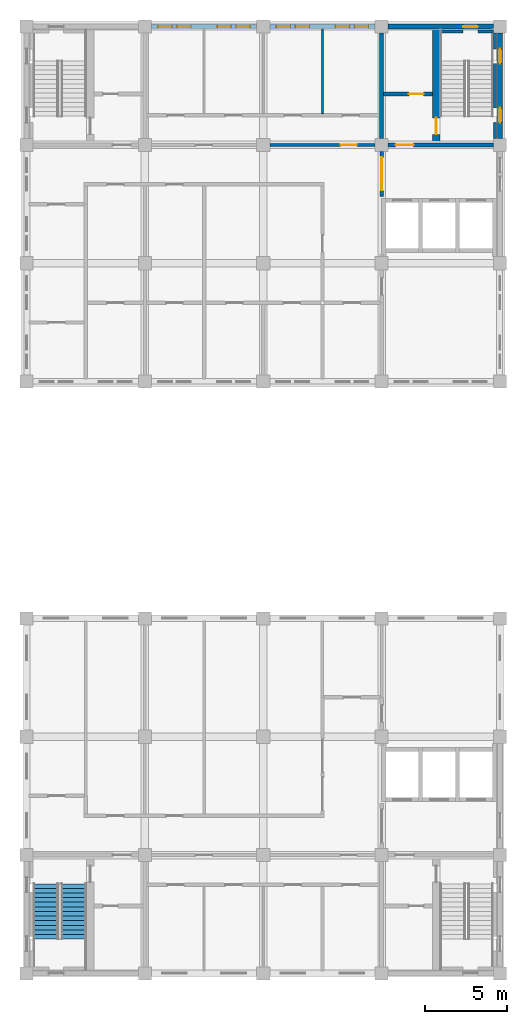
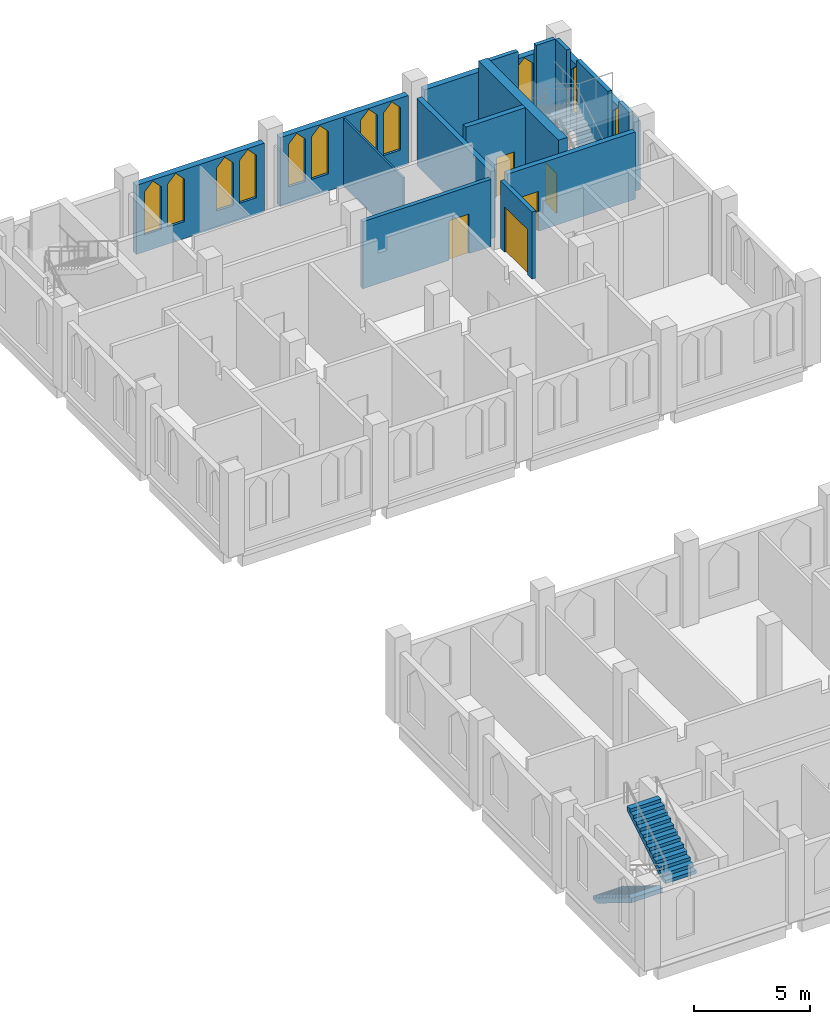
# One storey, part 8 of 11: 16 walls, 11 windows, 5 doors, 2 stair flights, 16 openings, 1 element without a shape of its own.
"""IFC4 building model written with IfcOpenShell, lengths in metres."""

from ifc_helpers import new_model, si_unit, direction, frame, frame_2d, origin, place, context, subcontext, project, spatial, polyline, rectangle, outline, extrude, material, layer, layer_set, type_object, element, fill, aggregate, save


model = new_model("IFC4")

# Units and contexts
model_context = context("Model", 3, precision=1e-05, world=origin(), true_north=direction((0.0, 1.0)))
body_context = subcontext(model_context, "Body", "Model", "MODEL_VIEW")
ifc_project = project(units=[si_unit("LENGTHUNIT", "METRE"), si_unit("AREAUNIT", "SQUARE_METRE"), si_unit("VOLUMEUNIT", "CUBIC_METRE"), si_unit("PLANEANGLEUNIT", "RADIAN"), si_unit("MASSUNIT", "GRAM", prefix="KILO")], contexts=[model_context])

# Site, building, storey
site_placement = place(None, origin())
site = spatial("IfcSite", under=ifc_project, at=site_placement, CompositionType="ELEMENT")
building_placement = place(site_placement, origin())
building = spatial("IfcBuilding", under=site, at=building_placement, Name="Silangan Lancet Faculty of Sciences", CompositionType="ELEMENT")
storey_placement = place(building_placement, frame((0.0, 0.0, 45.300048828125)))
storey = spatial("IfcBuildingStorey", under=building, at=storey_placement, Name="L09", CompositionType="ELEMENT", Elevation=45.300048828125)

# Wall, openings, windows
ifc_material_1 = material(Name="Concrete C40/50 precast", Category="concrete")
ifc_layer_1 = layer(ifc_material_1, 0.300048828125)
ifc_layer_set_1 = layer_set([ifc_layer_1], Name="Concrete C40/50 precast")
wall_type_1 = type_object("IfcWallType", Name="EW1 Precast cladding wall", PredefinedType="STANDARD", material=ifc_layer_set_1)
wall_1_placement = place(storey_placement, frame((21.199951171875, 57.60009765625, 0.0), z_axis=(0.0, 0.0, 1.0), x_axis=(-1.0, 0.0, 0.0)))
wall_1 = element("IfcWall", 1, at=wall_1_placement, inside=storey, type_object=wall_type_1, Name="EW-L09-N-NT-01", PredefinedType="STANDARD", context=body_context, shape_type="SweptSolid", body=[
    extrude(rectangle(XDim=6.39990234375, YDim=0.300048828125, at=frame_2d((3.199951171875, 0.0))), origin(), (0.0, 0.0, 1.0), 3.64990234375),
])
opening_1_placement = place(wall_1_placement, frame((0.39990234375, 0.0, 0.89990234375)))
opening_1 = element("IfcOpeningElement", 2, at=opening_1_placement, cuts=wall_1, Name="Opening W21", PredefinedType="OPENING", context=body_context, shape_type="SweptSolid", body=[
    extrude(outline(polyline([(0.0, 0.0), (0.85009765625, 0.0), (0.85009765625, 2.25), (0.425048828125, 2.699951171875), (0.0, 2.25), (0.0, 0.0)])), frame((0.0, 0.159912109375, 0.0), z_axis=(0.0, -1.0, 0.0), x_axis=(1.0, 0.0, 0.0)), (0.0, 0.0, 1.0), 0.320068359375),
])
opening_2_placement = place(wall_1_placement, frame((1.550048828125, 0.0, 0.89990234375)))
opening_2 = element("IfcOpeningElement", 3, at=opening_2_placement, cuts=wall_1, Name="Opening W21", PredefinedType="OPENING", context=body_context, shape_type="SweptSolid", body=[
    extrude(outline(polyline([(0.0, 0.0), (0.85009765625, 0.0), (0.85009765625, 2.25), (0.425048828125, 2.699951171875), (0.0, 2.25), (0.0, 0.0)])), frame((0.0, 0.159912109375, 0.0), z_axis=(0.0, -1.0, 0.0), x_axis=(1.0, 0.0, 0.0)), (0.0, 0.0, 1.0), 0.320068359375),
])
opening_3_placement = place(wall_1_placement, frame((4.0, 0.0, 0.89990234375)))
opening_3 = element("IfcOpeningElement", 4, at=opening_3_placement, cuts=wall_1, Name="Opening W21", PredefinedType="OPENING", context=body_context, shape_type="SweptSolid", body=[
    extrude(outline(polyline([(0.0, 0.0), (0.85009765625, 0.0), (0.85009765625, 2.25), (0.425048828125, 2.699951171875), (0.0, 2.25), (0.0, 0.0)])), frame((0.0, 0.159912109375, 0.0), z_axis=(0.0, -1.0, 0.0), x_axis=(1.0, 0.0, 0.0)), (0.0, 0.0, 1.0), 0.320068359375),
])
opening_4_placement = place(wall_1_placement, frame((5.14990234375, 0.0, 0.89990234375)))
opening_4 = element("IfcOpeningElement", 5, at=opening_4_placement, cuts=wall_1, Name="Opening W21", PredefinedType="OPENING", context=body_context, shape_type="SweptSolid", body=[
    extrude(outline(polyline([(0.0, 0.0), (0.85009765625, 0.0), (0.85009765625, 2.25), (0.425048828125, 2.699951171875), (0.0, 2.25), (0.0, 0.0)])), frame((0.0, 0.159912109375, 0.0), z_axis=(0.0, -1.0, 0.0), x_axis=(1.0, 0.0, 0.0)), (0.0, 0.0, 1.0), 0.320068359375),
])
ifc_material_2 = material(Name="Aluminium frame, laminated double glazing", Category="aluminium")
window_type_1 = type_object("IfcWindowType", Name="W21 Lancet window 850 x 2700", PartitioningType="SINGLE_PANEL", PredefinedType="WINDOW", material=ifc_material_2)
window_1_placement = place(opening_1_placement, origin())
window_1 = element("IfcWindow", 6, at=window_1_placement, inside=storey, type_object=window_type_1, Name="WIN-L09-N-NT-01a1", OverallHeight=2.699951171875, OverallWidth=0.85009765625, PartitioningType="SINGLE_PANEL", PredefinedType="WINDOW", context=body_context, shape_type="SweptSolid", body=[
    extrude(outline(polyline([(0.0, 0.0), (0.85009765625, 0.0), (0.85009765625, 2.25), (0.425048828125, 2.699951171875), (0.0, 2.25), (0.0, 0.0)])), frame((0.0, 0.030029296875, 0.0), z_axis=(0.0, -1.0, 0.0), x_axis=(1.0, 0.0, 0.0)), (0.0, 0.0, 1.0), 0.06005859375),
])
fill(opening_1, window_1)
window_2_placement = place(opening_2_placement, origin())
window_2 = element("IfcWindow", 7, at=window_2_placement, inside=storey, type_object=window_type_1, Name="WIN-L09-N-NT-01a2", OverallHeight=2.699951171875, OverallWidth=0.85009765625, PartitioningType="SINGLE_PANEL", PredefinedType="WINDOW", context=body_context, shape_type="SweptSolid", body=[
    extrude(outline(polyline([(0.0, 0.0), (0.85009765625, 0.0), (0.85009765625, 2.25), (0.425048828125, 2.699951171875), (0.0, 2.25), (0.0, 0.0)])), frame((0.0, 0.030029296875, 0.0), z_axis=(0.0, -1.0, 0.0), x_axis=(1.0, 0.0, 0.0)), (0.0, 0.0, 1.0), 0.06005859375),
])
fill(opening_2, window_2)
window_3_placement = place(opening_3_placement, origin())
window_3 = element("IfcWindow", 8, at=window_3_placement, inside=storey, type_object=window_type_1, Name="WIN-L09-N-NT-01b1", OverallHeight=2.699951171875, OverallWidth=0.85009765625, PartitioningType="SINGLE_PANEL", PredefinedType="WINDOW", context=body_context, shape_type="SweptSolid", body=[
    extrude(outline(polyline([(0.0, 0.0), (0.85009765625, 0.0), (0.85009765625, 2.25), (0.425048828125, 2.699951171875), (0.0, 2.25), (0.0, 0.0)])), frame((0.0, 0.030029296875, 0.0), z_axis=(0.0, -1.0, 0.0), x_axis=(1.0, 0.0, 0.0)), (0.0, 0.0, 1.0), 0.06005859375),
])
fill(opening_3, window_3)
window_4_placement = place(opening_4_placement, origin())
window_4 = element("IfcWindow", 9, at=window_4_placement, inside=storey, type_object=window_type_1, Name="WIN-L09-N-NT-01b2", OverallHeight=2.699951171875, OverallWidth=0.85009765625, PartitioningType="SINGLE_PANEL", PredefinedType="WINDOW", context=body_context, shape_type="SweptSolid", body=[
    extrude(outline(polyline([(0.0, 0.0), (0.85009765625, 0.0), (0.85009765625, 2.25), (0.425048828125, 2.699951171875), (0.0, 2.25), (0.0, 0.0)])), frame((0.0, 0.030029296875, 0.0), z_axis=(0.0, -1.0, 0.0), x_axis=(1.0, 0.0, 0.0)), (0.0, 0.0, 1.0), 0.06005859375),
])
fill(opening_4, window_4)

wall_2_placement = place(storey_placement, frame((14.0, 57.60009765625, 0.0), z_axis=(0.0, 0.0, 1.0), x_axis=(-1.0, 0.0, 0.0)))
wall_2 = element("IfcWall", 10, at=wall_2_placement, inside=storey, type_object=wall_type_1, Name="EW-L09-N-NT-02", PredefinedType="STANDARD", context=body_context, shape_type="SweptSolid", body=[
    extrude(rectangle(XDim=6.39990234375, YDim=0.300048828125, at=frame_2d((3.199951171875, 0.0))), origin(), (0.0, 0.0, 1.0), 3.64990234375),
])
opening_5_placement = place(wall_2_placement, frame((0.39990234375, 0.0, 0.89990234375)))
opening_5 = element("IfcOpeningElement", 11, at=opening_5_placement, cuts=wall_2, Name="Opening W21", PredefinedType="OPENING", context=body_context, shape_type="SweptSolid", body=[
    extrude(outline(polyline([(0.0, 0.0), (0.85009765625, 0.0), (0.85009765625, 2.25), (0.425048828125, 2.699951171875), (0.0, 2.25), (0.0, 0.0)])), frame((0.0, 0.159912109375, 0.0), z_axis=(0.0, -1.0, 0.0), x_axis=(1.0, 0.0, 0.0)), (0.0, 0.0, 1.0), 0.320068359375),
])
opening_6_placement = place(wall_2_placement, frame((1.550048828125, 0.0, 0.89990234375)))
opening_6 = element("IfcOpeningElement", 12, at=opening_6_placement, cuts=wall_2, Name="Opening W21", PredefinedType="OPENING", context=body_context, shape_type="SweptSolid", body=[
    extrude(outline(polyline([(0.0, 0.0), (0.85009765625, 0.0), (0.85009765625, 2.25), (0.425048828125, 2.699951171875), (0.0, 2.25), (0.0, 0.0)])), frame((0.0, 0.159912109375, 0.0), z_axis=(0.0, -1.0, 0.0), x_axis=(1.0, 0.0, 0.0)), (0.0, 0.0, 1.0), 0.320068359375),
])
opening_7_placement = place(wall_2_placement, frame((4.0, 0.0, 0.89990234375)))
opening_7 = element("IfcOpeningElement", 13, at=opening_7_placement, cuts=wall_2, Name="Opening W21", PredefinedType="OPENING", context=body_context, shape_type="SweptSolid", body=[
    extrude(outline(polyline([(0.0, 0.0), (0.85009765625, 0.0), (0.85009765625, 2.25), (0.425048828125, 2.699951171875), (0.0, 2.25), (0.0, 0.0)])), frame((0.0, 0.159912109375, 0.0), z_axis=(0.0, -1.0, 0.0), x_axis=(1.0, 0.0, 0.0)), (0.0, 0.0, 1.0), 0.320068359375),
])
opening_8_placement = place(wall_2_placement, frame((5.14990234375, 0.0, 0.89990234375)))
opening_8 = element("IfcOpeningElement", 14, at=opening_8_placement, cuts=wall_2, Name="Opening W21", PredefinedType="OPENING", context=body_context, shape_type="SweptSolid", body=[
    extrude(outline(polyline([(0.0, 0.0), (0.85009765625, 0.0), (0.85009765625, 2.25), (0.425048828125, 2.699951171875), (0.0, 2.25), (0.0, 0.0)])), frame((0.0, 0.159912109375, 0.0), z_axis=(0.0, -1.0, 0.0), x_axis=(1.0, 0.0, 0.0)), (0.0, 0.0, 1.0), 0.320068359375),
])
window_5_placement = place(opening_5_placement, origin())
window_5 = element("IfcWindow", 15, at=window_5_placement, inside=storey, type_object=window_type_1, Name="WIN-L09-N-NT-02a1", OverallHeight=2.699951171875, OverallWidth=0.85009765625, PartitioningType="SINGLE_PANEL", PredefinedType="WINDOW", context=body_context, shape_type="SweptSolid", body=[
    extrude(outline(polyline([(0.0, 0.0), (0.85009765625, 0.0), (0.85009765625, 2.25), (0.425048828125, 2.699951171875), (0.0, 2.25), (0.0, 0.0)])), frame((0.0, 0.030029296875, 0.0), z_axis=(0.0, -1.0, 0.0), x_axis=(1.0, 0.0, 0.0)), (0.0, 0.0, 1.0), 0.06005859375),
])
fill(opening_5, window_5)
window_6_placement = place(opening_6_placement, origin())
window_6 = element("IfcWindow", 16, at=window_6_placement, inside=storey, type_object=window_type_1, Name="WIN-L09-N-NT-02a2", OverallHeight=2.699951171875, OverallWidth=0.85009765625, PartitioningType="SINGLE_PANEL", PredefinedType="WINDOW", context=body_context, shape_type="SweptSolid", body=[
    extrude(outline(polyline([(0.0, 0.0), (0.85009765625, 0.0), (0.85009765625, 2.25), (0.425048828125, 2.699951171875), (0.0, 2.25), (0.0, 0.0)])), frame((0.0, 0.030029296875, 0.0), z_axis=(0.0, -1.0, 0.0), x_axis=(1.0, 0.0, 0.0)), (0.0, 0.0, 1.0), 0.06005859375),
])
fill(opening_6, window_6)
window_7_placement = place(opening_7_placement, origin())
window_7 = element("IfcWindow", 17, at=window_7_placement, inside=storey, type_object=window_type_1, Name="WIN-L09-N-NT-02b1", OverallHeight=2.699951171875, OverallWidth=0.85009765625, PartitioningType="SINGLE_PANEL", PredefinedType="WINDOW", context=body_context, shape_type="SweptSolid", body=[
    extrude(outline(polyline([(0.0, 0.0), (0.85009765625, 0.0), (0.85009765625, 2.25), (0.425048828125, 2.699951171875), (0.0, 2.25), (0.0, 0.0)])), frame((0.0, 0.030029296875, 0.0), z_axis=(0.0, -1.0, 0.0), x_axis=(1.0, 0.0, 0.0)), (0.0, 0.0, 1.0), 0.06005859375),
])
fill(opening_7, window_7)
window_8_placement = place(opening_8_placement, origin())
window_8 = element("IfcWindow", 18, at=window_8_placement, inside=storey, type_object=window_type_1, Name="WIN-L09-N-NT-02b2", OverallHeight=2.699951171875, OverallWidth=0.85009765625, PartitioningType="SINGLE_PANEL", PredefinedType="WINDOW", context=body_context, shape_type="SweptSolid", body=[
    extrude(outline(polyline([(0.0, 0.0), (0.85009765625, 0.0), (0.85009765625, 2.25), (0.425048828125, 2.699951171875), (0.0, 2.25), (0.0, 0.0)])), frame((0.0, 0.030029296875, 0.0), z_axis=(0.0, -1.0, 0.0), x_axis=(1.0, 0.0, 0.0)), (0.0, 0.0, 1.0), 0.06005859375),
])
fill(opening_8, window_8)

# Wall, opening, window
ifc_material_3 = material(Name="Concrete C40/50 precast", Category="concrete")
ifc_layer_2 = layer(ifc_material_3, 0.300048828125)
ifc_layer_set_2 = layer_set([ifc_layer_2], Name="Concrete C40/50 precast")
wall_type_2 = type_object("IfcWallType", Name="EW2 Turret enclosure wall", PredefinedType="STANDARD", material=ifc_layer_set_2)
wall_3_placement = place(storey_placement, frame((28.39990234375, 57.60009765625, 0.0), z_axis=(0.0, 0.0, 1.0), x_axis=(-1.0, 0.0, 0.0)))
wall_3 = element("IfcWall", 19, at=wall_3_placement, inside=storey, type_object=wall_type_2, Name="EW-L09-N-NT-00", PredefinedType="STANDARD", context=body_context, shape_type="SweptSolid", body=[
    extrude(rectangle(XDim=6.39990234375, YDim=0.300048828125, at=frame_2d((3.199951171875, 0.0))), origin(), (0.0, 0.0, 1.0), 3.64990234375),
])
opening_9_placement = place(wall_3_placement, frame((0.949951171875, 0.0, 0.89990234375)))
opening_9 = element("IfcOpeningElement", 20, at=opening_9_placement, cuts=wall_3, Name="Opening W22", PredefinedType="OPENING", context=body_context, shape_type="SweptSolid", body=[
    extrude(outline(polyline([(0.0, 0.0), (0.89990234375, 0.0), (0.89990234375, 2.25), (0.449951171875, 2.699951171875), (0.0, 2.25), (0.0, 0.0)])), frame((0.0, 0.159912109375, 0.0), z_axis=(0.0, -1.0, 0.0), x_axis=(1.0, 0.0, 0.0)), (0.0, 0.0, 1.0), 0.320068359375),
])
ifc_material_4 = material(Name="Aluminium frame, laminated double glazing", Category="aluminium")
window_type_2 = type_object("IfcWindowType", Name="W22 Lancet window 900 x 2700", PartitioningType="SINGLE_PANEL", PredefinedType="WINDOW", material=ifc_material_4)
window_9_placement = place(opening_9_placement, origin())
window_9 = element("IfcWindow", 21, at=window_9_placement, inside=storey, type_object=window_type_2, Name="WIN-L09-N-NT-00a", OverallHeight=2.699951171875, OverallWidth=0.89990234375, PartitioningType="SINGLE_PANEL", PredefinedType="WINDOW", context=body_context, shape_type="SweptSolid", body=[
    extrude(outline(polyline([(0.0, 0.0), (0.89990234375, 0.0), (0.89990234375, 2.25), (0.449951171875, 2.699951171875), (0.0, 2.25), (0.0, 0.0)])), frame((0.0, 0.030029296875, 0.0), z_axis=(0.0, -1.0, 0.0), x_axis=(1.0, 0.0, 0.0)), (0.0, 0.0, 1.0), 0.06005859375),
])
fill(opening_9, window_9)

# Wall, openings, windows
wall_4_placement = place(storey_placement, frame((28.800048828125, 50.800048828125, 0.0), z_axis=(0.0, 0.0, 1.0), x_axis=(0.0, 1.0, 0.0)))
wall_4 = element("IfcWall", 22, at=wall_4_placement, inside=storey, type_object=wall_type_2, Name="EW-L09-E-NT-02", PredefinedType="STANDARD", context=body_context, shape_type="SweptSolid", body=[
    extrude(rectangle(XDim=6.39990234375, YDim=0.300048828125, at=frame_2d((3.199951171875, 0.0))), origin(), (0.0, 0.0, 1.0), 3.64990234375),
])
opening_10_placement = place(wall_4_placement, frame((0.949951171875, 0.0, 0.89990234375)))
opening_10 = element("IfcOpeningElement", 23, at=opening_10_placement, cuts=wall_4, Name="Opening W22", PredefinedType="OPENING", context=body_context, shape_type="SweptSolid", body=[
    extrude(outline(polyline([(0.0, 0.0), (0.89990234375, 0.0), (0.89990234375, 2.25), (0.449951171875, 2.699951171875), (0.0, 2.25), (0.0, 0.0)])), frame((0.0, 0.159912109375, 0.0), z_axis=(0.0, -1.0, 0.0), x_axis=(1.0, 0.0, 0.0)), (0.0, 0.0, 1.0), 0.320068359375),
])
opening_11_placement = place(wall_4_placement, frame((4.550048828125, 0.0, 0.89990234375)))
opening_11 = element("IfcOpeningElement", 24, at=opening_11_placement, cuts=wall_4, Name="Opening W22", PredefinedType="OPENING", context=body_context, shape_type="SweptSolid", body=[
    extrude(outline(polyline([(0.0, 0.0), (0.89990234375, 0.0), (0.89990234375, 2.25), (0.449951171875, 2.699951171875), (0.0, 2.25), (0.0, 0.0)])), frame((0.0, 0.159912109375, 0.0), z_axis=(0.0, -1.0, 0.0), x_axis=(1.0, 0.0, 0.0)), (0.0, 0.0, 1.0), 0.320068359375),
])
window_10_placement = place(opening_10_placement, origin())
window_10 = element("IfcWindow", 25, at=window_10_placement, inside=storey, type_object=window_type_2, Name="WIN-L09-E-NT-02a", OverallHeight=2.699951171875, OverallWidth=0.89990234375, PartitioningType="SINGLE_PANEL", PredefinedType="WINDOW", context=body_context, shape_type="SweptSolid", body=[
    extrude(outline(polyline([(0.0, 0.0), (0.89990234375, 0.0), (0.89990234375, 2.25), (0.449951171875, 2.699951171875), (0.0, 2.25), (0.0, 0.0)])), frame((0.0, 0.030029296875, 0.0), z_axis=(0.0, -1.0, 0.0), x_axis=(1.0, 0.0, 0.0)), (0.0, 0.0, 1.0), 0.06005859375),
])
fill(opening_10, window_10)
window_11_placement = place(opening_11_placement, origin())
window_11 = element("IfcWindow", 26, at=window_11_placement, inside=storey, type_object=window_type_2, Name="WIN-L09-E-NT-02b", OverallHeight=2.699951171875, OverallWidth=0.89990234375, PartitioningType="SINGLE_PANEL", PredefinedType="WINDOW", context=body_context, shape_type="SweptSolid", body=[
    extrude(outline(polyline([(0.0, 0.0), (0.89990234375, 0.0), (0.89990234375, 2.25), (0.449951171875, 2.699951171875), (0.0, 2.25), (0.0, 0.0)])), frame((0.0, 0.030029296875, 0.0), z_axis=(0.0, -1.0, 0.0), x_axis=(1.0, 0.0, 0.0)), (0.0, 0.0, 1.0), 0.06005859375),
])
fill(opening_11, window_11)

# Wall, opening, door
ifc_material_5 = material(Name="Hollow block masonry fm 7 MPa", Category="masonry")
ifc_layer_3 = layer(ifc_material_5, 0.199951171875)
ifc_layer_set_3 = layer_set([ifc_layer_3], Name="Hollow block masonry fm 7 MPa")
wall_type_3 = type_object("IfcWallType", Name="Interior wall PW1 Corridor wall CHB 200", PredefinedType="PARTITIONING", material=ifc_layer_set_3)
wall_5_placement = place(storey_placement, frame((14.800048828125, 50.39990234375, 0.0), z_axis=(0.0, 0.0, 1.0), x_axis=(1.0, 0.0, 0.0)))
wall_5 = element("IfcWall", 27, at=wall_5_placement, inside=storey, type_object=wall_type_3, Name="Corridor wall CHB 200", PredefinedType="PARTITIONING", context=body_context, shape_type="SweptSolid", body=[
    extrude(rectangle(XDim=6.39990234375, YDim=0.199951171875, at=frame_2d((3.199951171875, 0.0))), origin(), (0.0, 0.0, 1.0), 3.550048828125),
])
opening_12_placement = place(wall_5_placement, frame((4.300048828125, 0.0, 0.0)))
opening_12 = element("IfcOpeningElement", 28, at=opening_12_placement, cuts=wall_5, Name="Opening L09-006", PredefinedType="OPENING", context=body_context, shape_type="SweptSolid", body=[
    extrude(rectangle(XDim=1.0, YDim=2.10009765625, at=frame_2d((0.5, 1.050048828125))), frame((0.0, 0.10986328125, 0.0), z_axis=(0.0, -1.0, 0.0), x_axis=(1.0, 0.0, 0.0)), (0.0, 0.0, 1.0), 0.219970703125),
])
ifc_material_6 = material(Name="Steel fire door set", Category="steel")
door_type_1 = type_object("IfcDoorType", Name="Door D1 Single leaf fire door 1000 x 2100", OperationType="SINGLE_SWING_LEFT", PredefinedType="DOOR", material=ifc_material_6)
door_1_placement = place(opening_12_placement, origin())
door_1 = element("IfcDoor", 29, at=door_1_placement, inside=storey, type_object=door_type_1, Name="Single leaf fire door 1000 x 2100", OperationType="SINGLE_SWING_LEFT", OverallHeight=2.10009765625, OverallWidth=1.0, PredefinedType="DOOR", context=body_context, shape_type="SweptSolid", body=[
    extrude(rectangle(XDim=1.0, YDim=2.10009765625, at=frame_2d((0.5, 1.050048828125))), frame((0.0, 0.02490234375, 0.0), z_axis=(0.0, -1.0, 0.0), x_axis=(1.0, 0.0, 0.0)), (0.0, 0.0, 1.0), 0.050048828125),
])
fill(opening_12, door_1)

# Wall
ifc_material_7 = material(Name="Hollow block masonry fm 7 MPa", Category="masonry")
ifc_layer_4 = layer(ifc_material_7, 0.10009765625)
ifc_layer_set_4 = layer_set([ifc_layer_4], Name="Hollow block masonry fm 7 MPa")
wall_type_4 = type_object("IfcWallType", Name="Interior wall PW8 WC partition CHB 100", PredefinedType="PARTITIONING", material=ifc_layer_set_4)
wall_6_placement = place(storey_placement, frame((18.0, 52.300048828125, 0.0), z_axis=(0.0, 0.0, 1.0), x_axis=(0.0, 1.0, 0.0)))
element("IfcWall", 30, at=wall_6_placement, inside=storey, type_object=wall_type_4, Name="WC partition CHB 100", PredefinedType="PARTITIONING", context=body_context, shape_type="SweptSolid", body=[
    extrude(rectangle(XDim=5.14990234375, YDim=0.10009765625, at=frame_2d((2.574951171875, 0.0))), origin(), (0.0, 0.0, 1.0), 3.550048828125),
])

# Wall, opening, door
ifc_material_8 = material(Name="Hollow block masonry fm 7 MPa", Category="masonry")
ifc_layer_5 = layer(ifc_material_8, 0.199951171875)
ifc_layer_set_5 = layer_set([ifc_layer_5], Name="Hollow block masonry fm 7 MPa")
wall_type_5 = type_object("IfcWallType", Name="Interior wall PW9 Lift lobby wall CHB 200", PredefinedType="PARTITIONING", material=ifc_layer_set_5)
wall_7_placement = place(storey_placement, frame((21.60009765625, 47.27490234375, 0.0), z_axis=(0.0, 0.0, 1.0), x_axis=(0.0, 1.0, 0.0)))
wall_7 = element("IfcWall", 31, at=wall_7_placement, inside=storey, type_object=wall_type_5, Name="Lift lobby wall CHB 200", PredefinedType="PARTITIONING", context=body_context, shape_type="SweptSolid", body=[
    extrude(rectangle(XDim=2.72509765625, YDim=0.199951171875, at=frame_2d((1.362548828125, 0.0))), origin(), (0.0, 0.0, 1.0), 3.550048828125),
])
opening_13_placement = place(wall_7_placement, frame((0.362548828125, 0.0, 0.0)))
opening_13 = element("IfcOpeningElement", 32, at=opening_13_placement, cuts=wall_7, Name="Opening L09-004", PredefinedType="OPENING", context=body_context, shape_type="SweptSolid", body=[
    extrude(rectangle(XDim=2.0, YDim=2.39990234375, at=frame_2d((1.0, 1.199951171875))), frame((0.0, 0.10986328125, 0.0), z_axis=(0.0, -1.0, 0.0), x_axis=(1.0, 0.0, 0.0)), (0.0, 0.0, 1.0), 0.219970703125),
])
ifc_material_9 = material(Name="Steel fire door set", Category="steel")
door_type_2 = type_object("IfcDoorType", Name="Door D5 Lift lobby double fire door 2000 x 2400", OperationType="DOUBLE_DOOR_SINGLE_SWING", PredefinedType="DOOR", material=ifc_material_9)
door_2_placement = place(opening_13_placement, origin())
door_2 = element("IfcDoor", 33, at=door_2_placement, inside=storey, type_object=door_type_2, Name="Lift lobby double fire door 2000 x 2400", OperationType="DOUBLE_DOOR_SINGLE_SWING", OverallHeight=2.39990234375, OverallWidth=2.0, PredefinedType="DOOR", context=body_context, shape_type="SweptSolid", body=[
    extrude(rectangle(XDim=2.0, YDim=2.39990234375, at=frame_2d((1.0, 1.199951171875))), frame((0.0, 0.02490234375, 0.0), z_axis=(0.0, -1.0, 0.0), x_axis=(1.0, 0.0, 0.0)), (0.0, 0.0, 1.0), 0.050048828125),
])
fill(opening_13, door_2)

ifc_material_10 = material(Name="Concrete C40/50", Category="concrete")
ifc_layer_6 = layer(ifc_material_10, 0.449951171875)
ifc_layer_set_6 = layer_set([ifc_layer_6], Name="Concrete C40/50")
wall_type_6 = type_object("IfcWallType", Name="TURRET CORE WALL RC 450", PredefinedType="SHEAR", material=ifc_layer_set_6)
wall_8_placement = place(storey_placement, frame((24.925048828125, 50.52490234375, 0.0), z_axis=(0.0, 0.0, 1.0), x_axis=(0.0, 1.0, 0.0)))
wall_8 = element("IfcWall", 34, at=wall_8_placement, inside=storey, type_object=wall_type_6, Name="WALL-L09-NT-B-WELL", PredefinedType="SHEAR", context=body_context, shape_type="SweptSolid", body=[
    extrude(rectangle(XDim=6.925048828125, YDim=0.449951171875, at=frame_2d((3.46240234375, 0.0))), origin(), (0.0, 0.0, 1.0), 4.25),
])
opening_14_placement = place(wall_8_placement, frame((0.52490234375, 0.0, 0.0)))
opening_14 = element("IfcOpeningElement", 35, at=opening_14_placement, cuts=wall_8, Name="Opening L09-704", PredefinedType="OPENING", context=body_context, shape_type="SweptSolid", body=[
    extrude(rectangle(XDim=1.0, YDim=2.10009765625, at=frame_2d((0.5, 1.050048828125))), frame((0.0, 0.23486328125, 0.0), z_axis=(0.0, -1.0, 0.0), x_axis=(1.0, 0.0, 0.0)), (0.0, 0.0, 1.0), 0.469970703125),
])
ifc_material_11 = material(Name="Steel fire door set", Category="steel")
door_type_3 = type_object("IfcDoorType", Name="D71 Stair enclosure door 1000x2100", OperationType="SINGLE_SWING_LEFT", PredefinedType="DOOR", material=ifc_material_11)
door_3_placement = place(opening_14_placement, frame((1.0, 0.0, 0.0), z_axis=(0.0, 0.0, 1.0), x_axis=(-1.0, 0.0, 0.0)))
door_3 = element("IfcDoor", 36, at=door_3_placement, inside=storey, type_object=door_type_3, Name="Stair enclosure door NT-B L09", OperationType="SINGLE_SWING_RIGHT", OverallHeight=2.10009765625, OverallWidth=1.0, PredefinedType="DOOR", context=body_context, shape_type="SweptSolid", body=[
    extrude(rectangle(XDim=1.0, YDim=2.10009765625, at=frame_2d((0.5, 1.050048828125))), frame((0.0, 0.025146484375, 0.0), z_axis=(0.0, -1.0, 0.0), x_axis=(1.0, 0.0, 0.0)), (0.0, 0.0, 1.0), 0.050048828125),
])
fill(opening_14, door_3)

# Walls
ifc_material_12 = material(Name="Concrete C40/50", Category="concrete")
ifc_layer_7 = layer(ifc_material_12, 0.199951171875)
ifc_layer_set_7 = layer_set([ifc_layer_7], Name="Concrete C40/50")
wall_type_7 = type_object("IfcWallType", Name="TURRET LINING WALL RC 200", PredefinedType="SHEAR", material=ifc_layer_set_7)
wall_9_placement = place(storey_placement, frame((28.5, 50.800048828125, -0.25), z_axis=(0.0, 0.0, 1.0), x_axis=(0.0, 1.0, 0.0)))
element("IfcWall", 37, at=wall_9_placement, inside=storey, type_object=wall_type_7, Name="WALL-L09-NT-B-WL", PredefinedType="SHEAR", context=body_context, shape_type="SweptSolid", body=[
    extrude(rectangle(XDim=0.949951171875, YDim=0.199951171875, at=frame_2d((0.47509765625, 0.0))), origin(), (0.0, 0.0, 1.0), 4.5),
])
wall_10_placement = place(storey_placement, frame((28.5, 52.64990234375, -0.25), z_axis=(0.0, 0.0, 1.0), x_axis=(0.0, 1.0, 0.0)))
element("IfcWall", 38, at=wall_10_placement, inside=storey, type_object=wall_type_7, Name="WALL-L09-NT-B-WL-2", PredefinedType="SHEAR", context=body_context, shape_type="SweptSolid", body=[
    extrude(rectangle(XDim=2.7001953125, YDim=0.199951171875, at=frame_2d((1.35009765625, 0.0))), origin(), (0.0, 0.0, 1.0), 4.5),
])
wall_11_placement = place(storey_placement, frame((28.5, 56.25, -0.25), z_axis=(0.0, 0.0, 1.0), x_axis=(0.0, 1.0, 0.0)))
element("IfcWall", 39, at=wall_11_placement, inside=storey, type_object=wall_type_7, Name="WALL-L09-NT-B-WL-3", PredefinedType="SHEAR", context=body_context, shape_type="SweptSolid", body=[
    extrude(rectangle(XDim=0.949951171875, YDim=0.199951171875, at=frame_2d((0.47509765625, 0.0))), origin(), (0.0, 0.0, 1.0), 4.5),
])
wall_12_placement = place(storey_placement, frame((25.14990234375, 57.300048828125, -0.25), z_axis=(0.0, 0.0, 1.0), x_axis=(1.0, 0.0, 0.0)))
element("IfcWall", 40, at=wall_12_placement, inside=storey, type_object=wall_type_7, Name="WALL-L09-NT-B-WLD", PredefinedType="SHEAR", context=body_context, shape_type="SweptSolid", body=[
    extrude(rectangle(XDim=1.400146484375, YDim=0.199951171875, at=frame_2d((0.7001953125, 0.0))), origin(), (0.0, 0.0, 1.0), 4.5),
])
wall_13_placement = place(storey_placement, frame((27.449951171875, 57.300048828125, -0.25), z_axis=(0.0, 0.0, 1.0), x_axis=(1.0, 0.0, 0.0)))
element("IfcWall", 41, at=wall_13_placement, inside=storey, type_object=wall_type_7, Name="WALL-L09-NT-B-WLD-2", PredefinedType="SHEAR", context=body_context, shape_type="SweptSolid", body=[
    extrude(rectangle(XDim=0.949951171875, YDim=0.199951171875, at=frame_2d((0.47509765625, 0.0))), origin(), (0.0, 0.0, 1.0), 4.5),
])

# Wall, opening, door
ifc_material_13 = material(Name="Concrete C40/50", Category="concrete")
ifc_layer_8 = layer(ifc_material_13, 0.25)
ifc_layer_set_8 = layer_set([ifc_layer_8], Name="Concrete C40/50")
wall_type_8 = type_object("IfcWallType", Name="TURRET WALL RC 250", PredefinedType="SHEAR", material=ifc_layer_set_8)
wall_14_placement = place(storey_placement, frame((22.0, 50.39990234375, 0.0), z_axis=(0.0, 0.0, 1.0), x_axis=(1.0, 0.0, 0.0)))
wall_14 = element("IfcWall", 42, at=wall_14_placement, inside=storey, type_object=wall_type_8, Name="WALL-L09-NT-B-V", PredefinedType="SHEAR", context=body_context, shape_type="SweptSolid", body=[
    extrude(rectangle(XDim=6.39990234375, YDim=0.25, at=frame_2d((3.199951171875, 0.0))), origin(), (0.0, 0.0, 1.0), 3.550048828125),
])
opening_15_placement = place(wall_14_placement, frame((0.449951171875, 0.0, 0.0)))
opening_15 = element("IfcOpeningElement", 43, at=opening_15_placement, cuts=wall_14, Name="Opening L09-705", PredefinedType="OPENING", context=body_context, shape_type="SweptSolid", body=[
    extrude(rectangle(XDim=1.10009765625, YDim=2.10009765625, at=frame_2d((0.550048828125, 1.050048828125))), frame((0.0, 0.135009765625, 0.0), z_axis=(0.0, -1.0, 0.0), x_axis=(1.0, 0.0, 0.0)), (0.0, 0.0, 1.0), 0.27001953125),
])
ifc_material_14 = material(Name="Steel fire door set", Category="steel")
door_type_4 = type_object("IfcDoorType", Name="D70 Stair vestibule door 1100x2100", OperationType="SINGLE_SWING_LEFT", PredefinedType="DOOR", material=ifc_material_14)
door_4_placement = place(opening_15_placement, origin())
door_4 = element("IfcDoor", 44, at=door_4_placement, inside=storey, type_object=door_type_4, Name="Stair vestibule door NT-B L09", OperationType="SINGLE_SWING_LEFT", OverallHeight=2.10009765625, OverallWidth=1.10009765625, PredefinedType="DOOR", context=body_context, shape_type="SweptSolid", body=[
    extrude(rectangle(XDim=1.10009765625, YDim=2.10009765625, at=frame_2d((0.550048828125, 1.050048828125))), frame((0.0, 0.02490234375, 0.0), z_axis=(0.0, -1.0, 0.0), x_axis=(1.0, 0.0, 0.0)), (0.0, 0.0, 1.0), 0.050048828125),
])
fill(opening_15, door_4)

# Wall
wall_15_placement = place(storey_placement, frame((21.60009765625, 50.800048828125, 0.0), z_axis=(0.0, 0.0, 1.0), x_axis=(0.0, 1.0, 0.0)))
element("IfcWall", 45, at=wall_15_placement, inside=storey, type_object=wall_type_8, Name="WALL-L09-NT-B-O", PredefinedType="SHEAR", context=body_context, shape_type="SweptSolid", body=[
    extrude(rectangle(XDim=6.39990234375, YDim=0.25, at=frame_2d((3.199951171875, 0.0))), origin(), (0.0, 0.0, 1.0), 3.550048828125),
])

# Wall, opening, door
wall_16_placement = place(storey_placement, frame((21.72509765625, 53.5, 0.0), z_axis=(0.0, 0.0, 1.0), x_axis=(1.0, 0.0, 0.0)))
wall_16 = element("IfcWall", 46, at=wall_16_placement, inside=storey, type_object=wall_type_8, Name="WALL-L09-NT-B-RISER", PredefinedType="SHEAR", context=body_context, shape_type="SweptSolid", body=[
    extrude(rectangle(XDim=2.974853515625, YDim=0.25, at=frame_2d((1.4873046875, 0.0))), origin(), (0.0, 0.0, 1.0), 4.25),
])
opening_16_placement = place(wall_16_placement, frame((1.52490234375, 0.0, 0.0)))
opening_16 = element("IfcOpeningElement", 47, at=opening_16_placement, cuts=wall_16, Name="Opening L09-706", PredefinedType="OPENING", context=body_context, shape_type="SweptSolid", body=[
    extrude(rectangle(XDim=0.89990234375, YDim=2.10009765625, at=frame_2d((0.449951171875, 1.050048828125))), frame((0.0, 0.135009765625, 0.0), z_axis=(0.0, -1.0, 0.0), x_axis=(1.0, 0.0, 0.0)), (0.0, 0.0, 1.0), 0.27001953125),
])
ifc_material_15 = material(Name="Steel fire door set", Category="steel")
door_type_5 = type_object("IfcDoorType", Name="D72 Riser access door 900x2100", OperationType="SINGLE_SWING_LEFT", PredefinedType="DOOR", material=ifc_material_15)
door_5_placement = place(opening_16_placement, origin())
door_5 = element("IfcDoor", 48, at=door_5_placement, inside=storey, type_object=door_type_5, Name="Riser access door NT-B L09", OperationType="SINGLE_SWING_LEFT", OverallHeight=2.10009765625, OverallWidth=0.89990234375, PredefinedType="DOOR", context=body_context, shape_type="SweptSolid", body=[
    extrude(rectangle(XDim=0.89990234375, YDim=2.10009765625, at=frame_2d((0.449951171875, 1.050048828125))), frame((0.0, 0.02490234375, 0.0), z_axis=(0.0, -1.0, 0.0), x_axis=(1.0, 0.0, 0.0)), (0.0, 0.0, 1.0), 0.050048828125),
])
fill(opening_16, door_5)

# Stair, stair flights
ifc_material_16 = material(Name="Concrete C40/50", Category="concrete")
stair_type = type_object("IfcStairType", Name="TURRET STAIR 1550 TWO-FLIGHT", PredefinedType="HALF_TURN_STAIR", material=ifc_material_16)
stair_placement = place(storey_placement, origin())
stair = element("IfcStair", 49, at=stair_placement, inside=storey, type_object=stair_type, Name="ST-A stair L09", PredefinedType="HALF_TURN_STAIR")
ifc_material_17 = material(Name="Concrete C40/50", Category="concrete")
stair_flight_type = type_object("IfcStairFlightType", Name="TURRET STAIR FLIGHT 1550", PredefinedType="STRAIGHT", material=ifc_material_17)
stair_flight_1_placement = place(storey_placement, frame((1.175048828125, 5.449951171875, 0.0), z_axis=(0.0, 0.0, 1.0), x_axis=(0.0, -1.0, 0.0)))
stair_flight_1 = element("IfcStairFlight", 50, at=stair_flight_1_placement, type_object=stair_flight_type, Name="STR1 flight 1", NumberOfRisers=13, NumberOfTreads=12, PredefinedType="STRAIGHT", RiserHeight=0.173076923, TreadLength=0.28, context=body_context, shape_type="SweptSolid", body=[
    extrude(outline(polyline([(0.0, 0.0), (0.0, 0.173095703125), (0.280029296875, 0.173095703125), (0.280029296875, 0.34619140625), (0.56005859375, 0.34619140625), (0.56005859375, 0.519287109375), (0.840087890625, 0.519287109375), (0.840087890625, 0.6923828125), (1.1201171875, 0.6923828125), (1.1201171875, 0.865478515625), (1.39990234375, 0.865478515625), (1.39990234375, 1.03857421875), (1.679931640625, 1.03857421875), (1.679931640625, 1.21142578125), (1.9599609375, 1.21142578125), (1.9599609375, 1.384521484375), (2.239990234375, 1.384521484375), (2.239990234375, 1.5576171875), (2.52001953125, 1.5576171875), (2.52001953125, 1.730712890625), (2.800048828125, 1.730712890625), (2.800048828125, 1.90380859375), (3.080078125, 1.90380859375), (3.080078125, 2.076904296875), (3.360107421875, 2.076904296875), (3.360107421875, 2.25), (3.360107421875, 1.841796875), (0.38037109375, 0.0), (0.0, 0.0)])), frame((0.0, 0.77490234375, 0.0), z_axis=(0.0, -1.0, 0.0), x_axis=(1.0, 0.0, 0.0)), (0.0, 0.0, 1.0), 1.550048828125),
])
stair_flight_2_placement = place(storey_placement, frame((2.875, 2.090087890625, 2.25), z_axis=(0.0, 0.0, 1.0), x_axis=(0.0, 1.0, 0.0)))
stair_flight_2 = element("IfcStairFlight", 51, at=stair_flight_2_placement, type_object=stair_flight_type, Name="STR1 flight 2", NumberOfRisers=13, NumberOfTreads=12, PredefinedType="STRAIGHT", RiserHeight=0.173076923, TreadLength=0.28, context=body_context, shape_type="SweptSolid", body=[
    extrude(outline(polyline([(0.0, 0.0), (0.0, 0.173095703125), (0.280029296875, 0.173095703125), (0.280029296875, 0.34619140625), (0.56005859375, 0.34619140625), (0.56005859375, 0.519287109375), (0.840087890625, 0.519287109375), (0.840087890625, 0.6923828125), (1.1201171875, 0.6923828125), (1.1201171875, 0.865478515625), (1.39990234375, 0.865478515625), (1.39990234375, 1.03857421875), (1.679931640625, 1.03857421875), (1.679931640625, 1.21142578125), (1.9599609375, 1.21142578125), (1.9599609375, 1.384521484375), (2.239990234375, 1.384521484375), (2.239990234375, 1.5576171875), (2.52001953125, 1.5576171875), (2.52001953125, 1.730712890625), (2.800048828125, 1.730712890625), (2.800048828125, 1.90380859375), (3.080078125, 1.90380859375), (3.080078125, 2.076904296875), (3.360107421875, 2.076904296875), (3.360107421875, 2.25), (3.360107421875, 1.841796875), (0.38037109375, 0.0), (0.0, 0.0)])), frame((0.0, 0.77490234375, 0.0), z_axis=(0.0, -1.0, 0.0), x_axis=(1.0, 0.0, 0.0)), (0.0, 0.0, 1.0), 1.550048828125),
])
aggregate(stair, [stair_flight_1, stair_flight_2])

save(model, "model.ifc")
